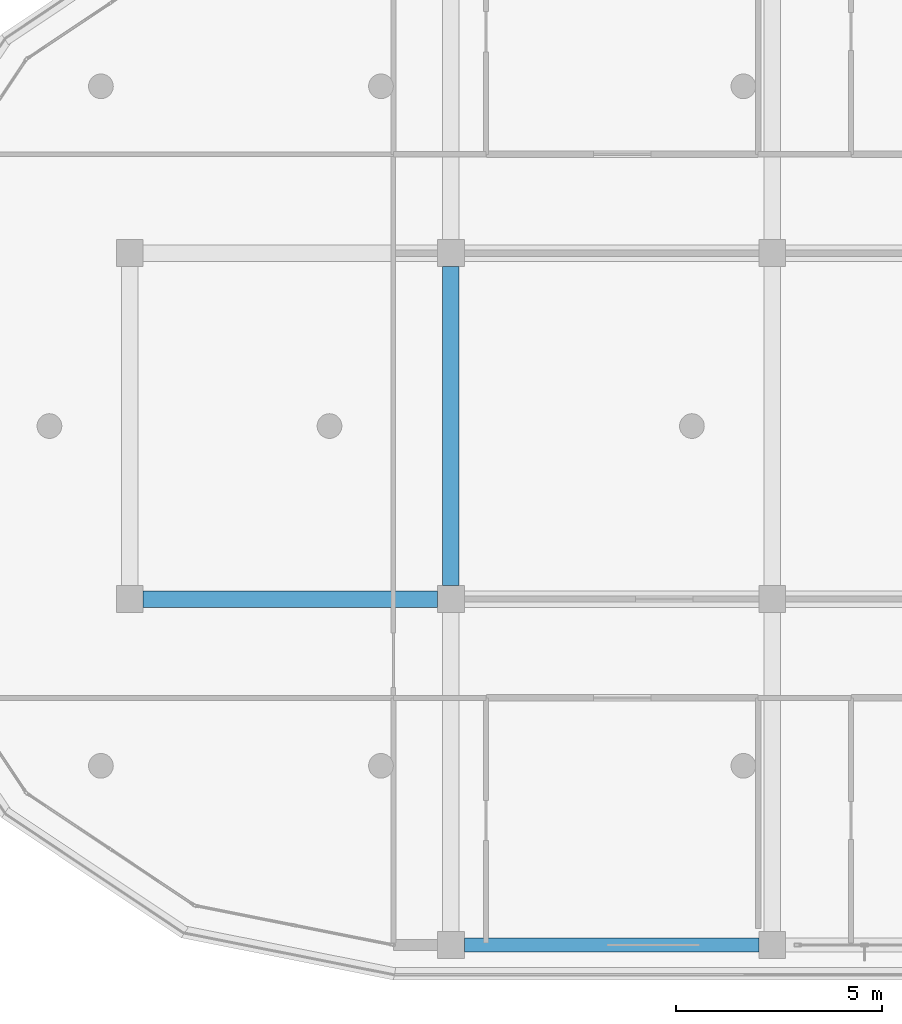
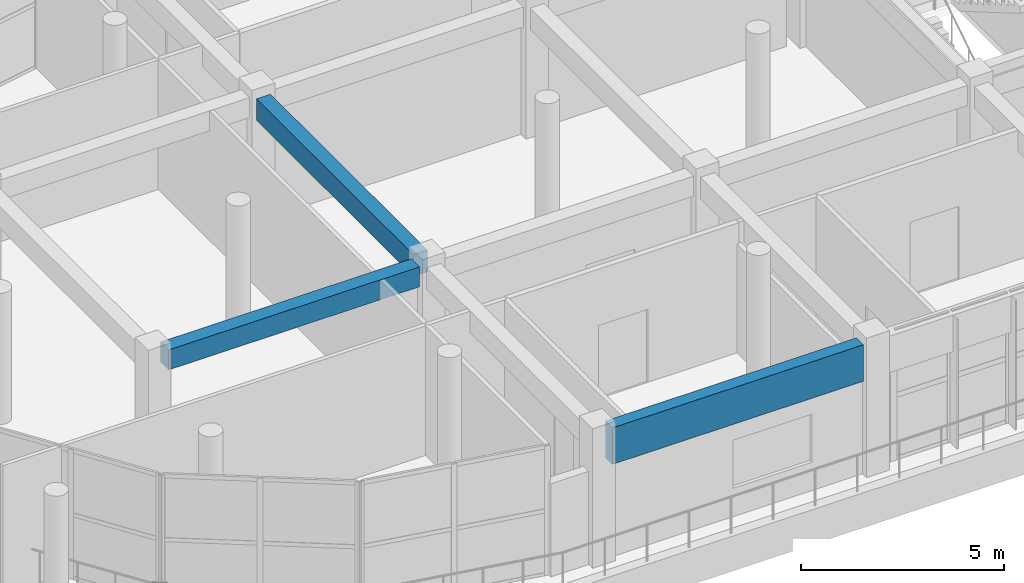
# One storey, part 5 of 57: 3 beams.
"""IFC4 building model written with IfcOpenShell, lengths in metres."""

from ifc_helpers import new_model, si_unit, direction, frame, origin, origin_2d, place, context, subcontext, project, spatial, rectangle, extrude, material, material_profile, profile_set, type_object, element, save


model = new_model("IFC4")

# Units and contexts
model_context = context("Model", 3, precision=1e-05, world=origin(), true_north=direction((0.0, 1.0)))
body_context = subcontext(model_context, "Body", "Model", "MODEL_VIEW")
ifc_project = project(units=[si_unit("LENGTHUNIT", "METRE"), si_unit("AREAUNIT", "SQUARE_METRE"), si_unit("VOLUMEUNIT", "CUBIC_METRE"), si_unit("PLANEANGLEUNIT", "RADIAN"), si_unit("MASSUNIT", "GRAM", prefix="KILO")], contexts=[model_context])

# Site, building, storey
site_placement = place(None, origin())
site = spatial("IfcSite", under=ifc_project, at=site_placement, CompositionType="ELEMENT")
building_placement = place(site_placement, origin())
building = spatial("IfcBuilding", under=site, at=building_placement, Name="Zizhar Promenade General Hospital", CompositionType="ELEMENT")
storey_placement = place(building_placement, frame((0.0, 0.0, 22.199951171875)))
storey = spatial("IfcBuildingStorey", under=building, at=storey_placement, Name="L05", CompositionType="ELEMENT", Elevation=22.199951171875)

# Beams
ifc_material_1 = material(Name="Precast concrete C40/50", Category="concrete")
ifc_material_profile_1 = material_profile(ifc_material_1, rectangle(XDim=0.35009765625, YDim=1.10009765625, at=origin_2d()))
ifc_profile_set_1 = profile_set([ifc_material_profile_1], Name="Precast concrete C40/50")
beam_type_1 = type_object("IfcBeamType", Name="BM-PC-BAND1100", PredefinedType="SPANDREL", material=ifc_profile_set_1)
beam_1_placement = place(storey_placement, frame((31.52490234375, 0.0, 3.360107421875), z_axis=(1.0, 0.0, 0.0), x_axis=(0.0, 1.0, 0.0)))
element("IfcBeam", 1, at=beam_1_placement, inside=storey, type_object=beam_type_1, Name="Grid Beam X L05 (4-0)", PredefinedType="SPANDREL", context=body_context, shape_type="SweptSolid", body=[
    extrude(rectangle(XDim=0.35009765625, YDim=1.10009765625, at=origin_2d()), origin(), (0.0, 0.0, 1.0), 7.150146484375),
])
ifc_material_2 = material(Name="Concrete C35/45", Category="concrete")
ifc_material_profile_2 = material_profile(ifc_material_2, rectangle(XDim=0.39990234375, YDim=0.60009765625, at=origin_2d()))
ifc_profile_set_2 = profile_set([ifc_material_profile_2], Name="Concrete C35/45")
beam_type_2 = type_object("IfcBeamType", Name="BM-RC-400x600", PredefinedType="JOIST", material=ifc_profile_set_2)
beam_2_placement = place(storey_placement, frame((23.72509765625, 8.39990234375, 3.610107421875), z_axis=(1.0, 0.0, 0.0), x_axis=(0.0, 1.0, 0.0)))
element("IfcBeam", 2, at=beam_2_placement, inside=storey, type_object=beam_type_2, Name="Grid Beam X L05 (3-1)", PredefinedType="JOIST", context=body_context, shape_type="SweptSolid", body=[
    extrude(rectangle(XDim=0.39990234375, YDim=0.60009765625, at=origin_2d()), origin(), (0.0, 0.0, 1.0), 7.14990234375),
])
ifc_material_3 = material(Name="Concrete C35/45", Category="concrete")
ifc_material_profile_3 = material_profile(ifc_material_3, rectangle(XDim=0.39990234375, YDim=0.64990234375, at=origin_2d()))
ifc_profile_set_3 = profile_set([ifc_material_profile_3], Name="Concrete C35/45")
beam_type_3 = type_object("IfcBeamType", Name="BM-RC-400x650", PredefinedType="BEAM", material=ifc_profile_set_3)
beam_3_placement = place(storey_placement, frame((31.199951171875, 8.72509765625, 3.5849609375), z_axis=(0.0, 1.0, 0.0), x_axis=(-1.0, 0.0, 0.0)))
element("IfcBeam", 3, at=beam_3_placement, inside=storey, type_object=beam_type_3, Name="Grid Beam Y L05 (4-1)", PredefinedType="BEAM", context=body_context, shape_type="SweptSolid", body=[
    extrude(rectangle(XDim=0.39990234375, YDim=0.64990234375, at=origin_2d()), origin(), (0.0, 0.0, 1.0), 7.75),
])

save(model, "model.ifc")
